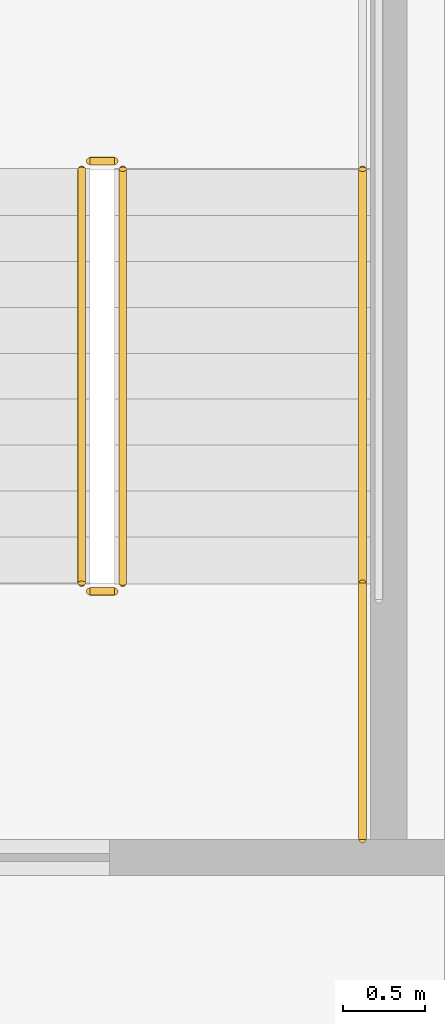
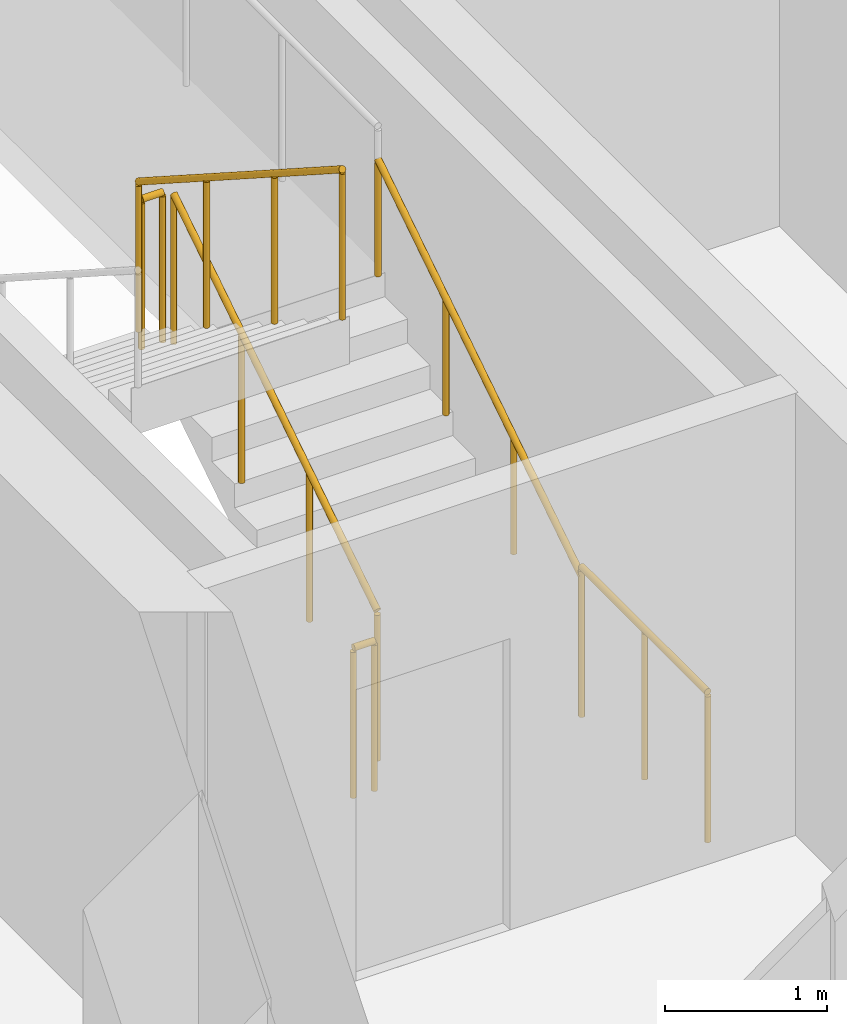
# One storey, part 14 of 16: 6 railings.
"""IFC4 building model written with IfcOpenShell, lengths in metres."""

from ifc_helpers import new_model, si_unit, direction, frame, origin, origin_2d, place, context, subcontext, project, spatial, circle, extrude, material, type_object, element, save


model = new_model("IFC4")

# Units and contexts
model_context = context("Model", 3, precision=1e-05, world=origin(), true_north=direction((0.0, 1.0)))
body_context = subcontext(model_context, "Body", "Model", "MODEL_VIEW")
ifc_project = project(units=[si_unit("LENGTHUNIT", "METRE"), si_unit("AREAUNIT", "SQUARE_METRE"), si_unit("VOLUMEUNIT", "CUBIC_METRE"), si_unit("PLANEANGLEUNIT", "RADIAN"), si_unit("MASSUNIT", "GRAM", prefix="KILO")], contexts=[model_context])

# Site, building, storey
site_placement = place(None, origin())
site = spatial("IfcSite", under=ifc_project, at=site_placement, CompositionType="ELEMENT")
building_placement = place(site_placement, origin())
building = spatial("IfcBuilding", under=site, at=building_placement, Name="Khairoan Windgate Tower", CompositionType="ELEMENT")
storey_placement = place(building_placement, frame((0.0, 0.0, 258.39990234375)))
storey = spatial("IfcBuildingStorey", under=building, at=storey_placement, Name="L61", CompositionType="ELEMENT", Elevation=258.39990234375)

# Railings
ifc_material_1 = material(Name="Anodised Bronze Aluminium 6063-T6", Category="aluminium")
railing_type_1 = type_object("IfcRailingType", Name="Stair Wall Handrail SHR-900", PredefinedType="HANDRAIL", material=ifc_material_1)
railing_1_placement = place(storey_placement, frame((-16.199951171875, 2.9599609375, 0.18017578125)))
element("IfcRailing", 1, at=railing_1_placement, inside=storey, type_object=railing_type_1, Name="L61 ST2 stair handrail 1", PredefinedType="HANDRAIL", context=body_context, shape_type="SweptSolid", body=[
    extrude(circle(Radius=0.02392578125, at=origin_2d()), frame((0.0, 0.0, 0.8759765625), z_axis=(0.0, 0.841199657755, 0.540724639528), x_axis=(-1.0, 0.0, 0.0)), (0.0, 0.0, 1.0), 2.995849609375),
    extrude(circle(Radius=0.02099609375, at=origin_2d()), origin(), (0.0, 0.0, 1.0), 0.851806640625),
    extrude(circle(Radius=0.02099609375, at=origin_2d()), frame((0.0, 0.840087890625, 0.5400390625)), (0.0, 0.0, 1.0), 0.851806640625),
    extrude(circle(Radius=0.02099609375, at=origin_2d()), frame((0.0, 1.679931640625, 1.079833984375)), (0.0, 0.0, 1.0), 0.851806640625),
    extrude(circle(Radius=0.02099609375, at=origin_2d()), frame((0.0, 2.52001953125, 1.619873046875)), (0.0, 0.0, 1.0), 0.851806640625),
])
ifc_material_2 = material(Name="Steel S355", Category="steel")
railing_type_2 = type_object("IfcRailingType", Name="Stairwell Safety Guardrail SGR-1150", PredefinedType="GUARDRAIL", material=ifc_material_2)
railing_2_placement = place(storey_placement, frame((-17.659912109375, 2.9599609375, 0.18017578125)))
element("IfcRailing", 2, at=railing_2_placement, inside=storey, type_object=railing_type_2, Name="L61 ST2 stair guard 1", PredefinedType="GUARDRAIL", context=body_context, shape_type="SweptSolid", body=[
    extrude(circle(Radius=0.02392578125, at=origin_2d()), frame((0.0, 0.0, 1.1259765625), z_axis=(0.0, 0.841199657755, 0.540724639528), x_axis=(-1.0, 0.0, 0.0)), (0.0, 0.0, 1.0), 2.995849609375),
    extrude(circle(Radius=0.02099609375, at=origin_2d()), origin(), (0.0, 0.0, 1.0), 1.101806640625),
    extrude(circle(Radius=0.02099609375, at=origin_2d()), frame((0.0, 0.840087890625, 0.5400390625)), (0.0, 0.0, 1.0), 1.101806640625),
    extrude(circle(Radius=0.02099609375, at=origin_2d()), frame((0.0, 1.679931640625, 1.079833984375)), (0.0, 0.0, 1.0), 1.101806640625),
    extrude(circle(Radius=0.02099609375, at=origin_2d()), frame((0.0, 2.52001953125, 1.619873046875)), (0.0, 0.0, 1.0), 1.101806640625),
])
railing_3_placement = place(storey_placement, frame((-17.7099609375, 5.530029296875, 1.800048828125)))
element("IfcRailing", 3, at=railing_3_placement, inside=storey, type_object=railing_type_2, Name="L61 ST2 stair guard 2", PredefinedType="GUARDRAIL", context=body_context, shape_type="SweptSolid", body=[
    extrude(circle(Radius=0.02392578125, at=origin_2d()), frame((0.0, 0.0, 1.1259765625), z_axis=(-1.0, 0.0, 0.0), x_axis=(0.0, -1.0, 0.0)), (0.0, 0.0, 1.0), 0.150146484375),
    extrude(circle(Radius=0.02099609375, at=origin_2d()), origin(), (0.0, 0.0, 1.0), 1.101806640625),
    extrude(circle(Radius=0.02099609375, at=origin_2d()), frame((-0.150146484375, 0.0, 0.0)), (0.0, 0.0, 1.0), 1.101806640625),
])
railing_4_placement = place(storey_placement, frame((-17.909912109375, 5.47998046875, 1.97998046875)))
element("IfcRailing", 4, at=railing_4_placement, inside=storey, type_object=railing_type_2, Name="L61 ST2 stair guard 6", PredefinedType="GUARDRAIL", context=body_context, shape_type="SweptSolid", body=[
    extrude(circle(Radius=0.02392578125, at=origin_2d()), frame((0.0, 0.0, 1.1259765625), z_axis=(0.0, -0.841162588446, 0.540782303519), x_axis=(1.0, 0.0, 0.0)), (0.0, 0.0, 1.0), 2.995849609375),
    extrude(circle(Radius=0.02099609375, at=origin_2d()), origin(), (0.0, 0.0, 1.0), 1.101806640625),
    extrude(circle(Radius=0.02099609375, at=origin_2d()), frame((0.0, -0.840087890625, 0.5400390625)), (0.0, 0.0, 1.0), 1.101806640625),
    extrude(circle(Radius=0.02099609375, at=origin_2d()), frame((0.0, -1.679931640625, 1.080078125)), (0.0, 0.0, 1.0), 1.101806640625),
    extrude(circle(Radius=0.02099609375, at=origin_2d()), frame((0.0, -2.52001953125, 1.6201171875)), (0.0, 0.0, 1.0), 1.101806640625),
])
railing_5_placement = place(storey_placement, frame((-17.7099609375, 2.909912109375, 0.0)))
element("IfcRailing", 5, at=railing_5_placement, inside=storey, type_object=railing_type_2, Name="L61 ST2 stair guard 7", PredefinedType="GUARDRAIL", context=body_context, shape_type="SweptSolid", body=[
    extrude(circle(Radius=0.02392578125, at=origin_2d()), frame((0.0, 0.0, 1.1259765625), z_axis=(-1.0, 0.0, 0.0), x_axis=(0.0, -1.0, 0.0)), (0.0, 0.0, 1.0), 0.150146484375),
    extrude(circle(Radius=0.02099609375, at=origin_2d()), origin(), (0.0, 0.0, 1.0), 1.101806640625),
    extrude(circle(Radius=0.02099609375, at=origin_2d()), frame((-0.150146484375, 0.0, 0.0)), (0.0, 0.0, 1.0), 1.101806640625),
])
railing_6_placement = place(storey_placement, frame((-16.199951171875, 1.39990234375, 0.0)))
element("IfcRailing", 6, at=railing_6_placement, inside=storey, type_object=railing_type_2, Name="L61 ST2 stair guard 8", PredefinedType="GUARDRAIL", context=body_context, shape_type="SweptSolid", body=[
    extrude(circle(Radius=0.02392578125, at=origin_2d()), frame((0.0, 0.0, 1.1259765625), z_axis=(0.0, 1.0, 0.0), x_axis=(-1.0, 0.0, 0.0)), (0.0, 0.0, 1.0), 1.56005859375),
    extrude(circle(Radius=0.02099609375, at=origin_2d()), origin(), (0.0, 0.0, 1.0), 1.101806640625),
    extrude(circle(Radius=0.02099609375, at=origin_2d()), frame((0.0, 0.780029296875, 0.0)), (0.0, 0.0, 1.0), 1.101806640625),
    extrude(circle(Radius=0.02099609375, at=origin_2d()), frame((0.0, 1.56005859375, 0.0)), (0.0, 0.0, 1.0), 1.101806640625),
])

save(model, "model.ifc")
